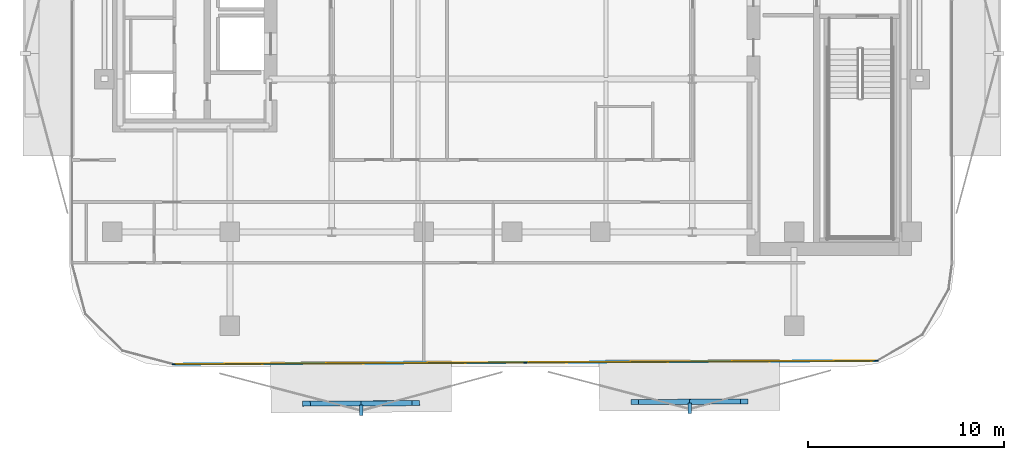
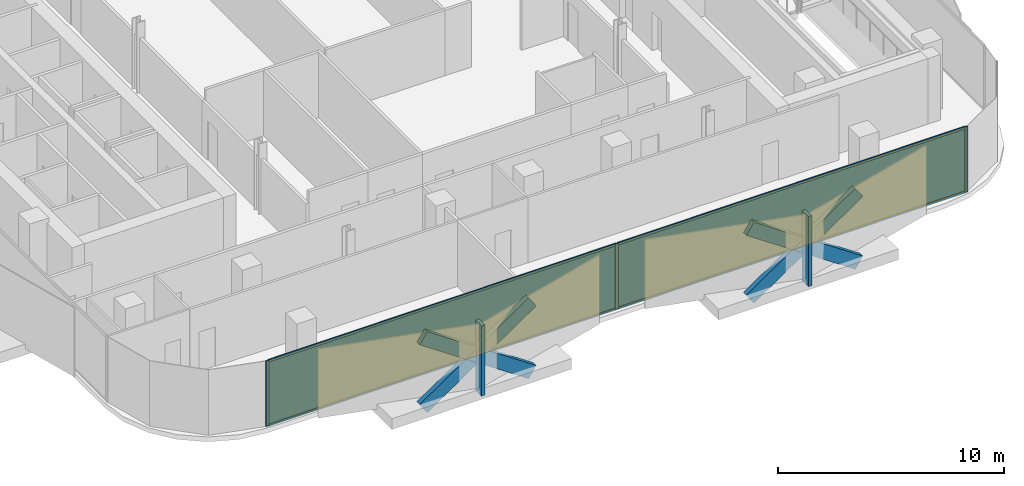
# One storey, part 8 of 16: 13 members, 2 plates, 1 curtain wall.
"""IFC4 building model written with IfcOpenShell, lengths in metres."""

from ifc_helpers import new_model, si_unit, direction, frame, frame_2d, origin, origin_2d, place, context, subcontext, project, spatial, rectangle, extrude, material, layer, layer_set, material_profile, profile_set, type_object, element, aggregate, save


model = new_model("IFC4")

# Units and contexts
model_context = context("Model", 3, precision=1e-05, world=origin(), true_north=direction((0.0, 1.0)))
body_context = subcontext(model_context, "Body", "Model", "MODEL_VIEW")
ifc_project = project(units=[si_unit("LENGTHUNIT", "METRE"), si_unit("AREAUNIT", "SQUARE_METRE"), si_unit("VOLUMEUNIT", "CUBIC_METRE"), si_unit("PLANEANGLEUNIT", "RADIAN"), si_unit("MASSUNIT", "GRAM", prefix="KILO")], contexts=[model_context])

# Member
ifc_material_1 = material(Name="Anodised Bronze Aluminium 6063-T6", Category="aluminium")
ifc_material_profile_1 = material_profile(ifc_material_1, rectangle(XDim=0.260009765625, YDim=0.699951171875, at=origin_2d()))
ifc_profile_set_1 = profile_set([ifc_material_profile_1], Name="Anodised Bronze Aluminium 6063-T6")
member_type_1 = type_object("IfcMemberType", Name="Bronze Diamond Solar-Screen Lattice Rib BDL-700", PredefinedType="MULLION", material=ifc_profile_set_1)
site_placement = place(None, origin())
building_placement = place(site_placement, origin())
storey_placement = place(building_placement, frame((0.0, 0.0, 187.800048828125)))
member_1_placement = place(storey_placement, frame((11.857666015625, -27.25634765625, -0.130126953125), z_axis=(-0.826888697943, -0.004082598107, 0.562350792305), x_axis=(-0.00768530149, 0.999962302626, -0.00404097366)))
member_1 = element("IfcMember", 1, at=member_1_placement, type_object=member_type_1, Name="L43 Bronze Diamond Solar Screen Lattice Rib 281A", PredefinedType="MULLION", context=body_context, shape_type="SweptSolid", body=[
    extrude(rectangle(XDim=0.260009765625, YDim=0.699951171875, at=origin_2d()), origin(), (0.0, 0.0, 1.0), 6.75732421875),
])

member_2_placement = place(storey_placement, frame((6.27001953125, -27.283935546875, -0.130126953125), z_axis=(0.826888697943, 0.004082598107, 0.562350792305), x_axis=(0.00768530149, -0.999962302626, -0.00404097366)))
member_2 = element("IfcMember", 2, at=member_2_placement, type_object=member_type_1, Name="L43 Bronze Diamond Solar Screen Lattice Rib 281B", PredefinedType="MULLION", context=body_context, shape_type="SweptSolid", body=[
    extrude(rectangle(XDim=0.260009765625, YDim=0.699951171875, at=origin_2d()), origin(), (0.0, 0.0, 1.0), 6.75732421875),
])

member_3_placement = place(storey_placement, frame((-4.905517578125, -27.339111328125, -0.130126953125), z_axis=(-0.826888819371, -0.004046469514, 0.562350874885), x_axis=(-0.007641611663, 0.999962637455, -0.004040973385)))
member_3 = element("IfcMember", 3, at=member_3_placement, type_object=member_type_1, Name="L43 Bronze Diamond Solar Screen Lattice Rib 282A", PredefinedType="MULLION", context=body_context, shape_type="SweptSolid", body=[
    extrude(rectangle(XDim=0.260009765625, YDim=0.699951171875, at=origin_2d()), origin(), (0.0, 0.0, 1.0), 6.75732421875),
])

member_4_placement = place(storey_placement, frame((-10.4931640625, -27.366455078125, -0.130126953125), z_axis=(0.826888819371, 0.004046469514, 0.562350874885), x_axis=(0.007641611663, -0.999962637455, -0.004040973385)))
member_4 = element("IfcMember", 4, at=member_4_placement, type_object=member_type_1, Name="L43 Bronze Diamond Solar Screen Lattice Rib 282B", PredefinedType="MULLION", context=body_context, shape_type="SweptSolid", body=[
    extrude(rectangle(XDim=0.260009765625, YDim=0.699951171875, at=origin_2d()), origin(), (0.0, 0.0, 1.0), 6.75732421875),
])

ifc_material_2 = material(Name="Anodised Bronze Aluminium 6063-T6", Category="aluminium")
ifc_material_profile_2 = material_profile(ifc_material_2, rectangle(XDim=0.179931640625, YDim=0.5400390625, at=origin_2d()))
ifc_profile_set_2 = profile_set([ifc_material_profile_2], Name="Anodised Bronze Aluminium 6063-T6")
member_type_2 = type_object("IfcMemberType", Name="Bronze Solar-Screen Vertical Fold Fin BSF-540", PredefinedType="MULLION", material=ifc_profile_set_2)
member_5_placement = place(storey_placement, frame((9.0654296875, -27.610107421875, -0.130126953125), z_axis=(0.0, 0.0, 1.0), x_axis=(-0.999988059021, -0.004886902454, 0.0)))
member_5 = element("IfcMember", 5, at=member_5_placement, type_object=member_type_2, Name="L43 Bronze Solar Screen Vertical Fin 281", PredefinedType="MULLION", context=body_context, shape_type="SweptSolid", body=[
    extrude(rectangle(XDim=0.179931640625, YDim=0.5400390625, at=origin_2d()), origin(), (0.0, 0.0, 1.0), 3.800048828125),
])

member_6_placement = place(storey_placement, frame((-7.697509765625, -27.69287109375, -0.130126953125), z_axis=(0.0, 0.0, 1.0), x_axis=(-0.999988059021, -0.004886902454, 0.0)))
member_6 = element("IfcMember", 6, at=member_6_placement, type_object=member_type_2, Name="L43 Bronze Solar Screen Vertical Fin 282", PredefinedType="MULLION", context=body_context, shape_type="SweptSolid", body=[
    extrude(rectangle(XDim=0.179931640625, YDim=0.5400390625, at=origin_2d()), origin(), (0.0, 0.0, 1.0), 3.800048828125),
])

ifc_material_3 = material(Name="Anodised Bronze Aluminium 6063-T6", Category="aluminium")
ifc_material_profile_3 = material_profile(ifc_material_3, rectangle(XDim=0.06005859375, YDim=0.1650390625, at=origin_2d()))
ifc_profile_set_3 = profile_set([ifc_material_profile_3], Name="Anodised Bronze Aluminium 6063-T6")
member_type_3 = type_object("IfcMemberType", Name="CW-Z3 Mullion 60x165", PredefinedType="MULLION", material=ifc_profile_set_3)
member_7_placement = place(storey_placement, frame((18.605224609375, -25.18310546875, 0.0), z_axis=(0.0, 0.0, 1.0), x_axis=(0.004926734175, -0.999987863572, 0.0)))
member_7 = element("IfcMember", 7, at=member_7_placement, type_object=member_type_3, Name="CW-Z3 mullion 1", PredefinedType="MULLION", context=body_context, shape_type="SweptSolid", body=[
    extrude(rectangle(XDim=0.06005859375, YDim=0.1650390625, at=origin_2d()), origin(), (0.0, 0.0, 1.0), 3.5400390625),
])

member_8_placement = place(storey_placement, frame((0.672119140625, -25.271484375, 0.0), z_axis=(0.0, 0.0, 1.0), x_axis=(0.004926734175, -0.999987863572, 0.0)))
member_8 = element("IfcMember", 8, at=member_8_placement, type_object=member_type_3, Name="CW-Z3 mullion 2", PredefinedType="MULLION", context=body_context, shape_type="SweptSolid", body=[
    extrude(rectangle(XDim=0.06005859375, YDim=0.1650390625, at=origin_2d()), origin(), (0.0, 0.0, 1.0), 3.5400390625),
])

member_9_placement = place(storey_placement, frame((-17.2607421875, -25.35986328125, 0.0), z_axis=(0.0, 0.0, 1.0), x_axis=(0.004926734175, -0.999987863572, 0.0)))
member_9 = element("IfcMember", 9, at=member_9_placement, type_object=member_type_3, Name="CW-Z3 mullion 3", PredefinedType="MULLION", context=body_context, shape_type="SweptSolid", body=[
    extrude(rectangle(XDim=0.06005859375, YDim=0.1650390625, at=origin_2d()), origin(), (0.0, 0.0, 1.0), 3.5400390625),
])

ifc_material_4 = material(Name="Anodised Bronze Aluminium 6063-T6", Category="aluminium")
ifc_material_profile_4 = material_profile(ifc_material_4, rectangle(XDim=0.06005859375, YDim=0.1298828125, at=origin_2d()))
ifc_profile_set_4 = profile_set([ifc_material_profile_4], Name="Anodised Bronze Aluminium 6063-T6")
member_type_4 = type_object("IfcMemberType", Name="CW-Z3 Transom 60x130", PredefinedType="USERDEFINED", material=ifc_profile_set_4)
member_10_placement = place(storey_placement, frame((18.5751953125, -25.183349609375, 0.030029296875), z_axis=(-0.999987909339, -0.0049174359, 0.0), x_axis=(0.0049174359, -0.999987909339, 0.0)))
member_10 = element("IfcMember", 10, at=member_10_placement, type_object=member_type_4, Name="CW-Z3 transom 1.1", ObjectType="TRANSOM", PredefinedType="USERDEFINED", context=body_context, shape_type="SweptSolid", body=[
    extrude(rectangle(XDim=0.06005859375, YDim=0.1298828125, at=origin_2d()), origin(), (0.0, 0.0, 1.0), 17.873291015625),
])

member_11_placement = place(storey_placement, frame((18.5751953125, -25.183349609375, 3.510009765625), z_axis=(-0.999987909339, -0.0049174359, 0.0), x_axis=(0.0049174359, -0.999987909339, 0.0)))
member_11 = element("IfcMember", 11, at=member_11_placement, type_object=member_type_4, Name="CW-Z3 transom 1.2", ObjectType="TRANSOM", PredefinedType="USERDEFINED", context=body_context, shape_type="SweptSolid", body=[
    extrude(rectangle(XDim=0.06005859375, YDim=0.1298828125, at=origin_2d()), origin(), (0.0, 0.0, 1.0), 17.873291015625),
])

member_12_placement = place(storey_placement, frame((0.64208984375, -25.271728515625, 0.030029296875), z_axis=(-0.999987909009, -0.00491750307, 0.0), x_axis=(0.00491750307, -0.999987909009, 0.0)))
member_12 = element("IfcMember", 12, at=member_12_placement, type_object=member_type_4, Name="CW-Z3 transom 2.1", ObjectType="TRANSOM", PredefinedType="USERDEFINED", context=body_context, shape_type="SweptSolid", body=[
    extrude(rectangle(XDim=0.06005859375, YDim=0.1298828125, at=origin_2d()), origin(), (0.0, 0.0, 1.0), 17.873046875),
])

member_13_placement = place(storey_placement, frame((0.64208984375, -25.271728515625, 3.510009765625), z_axis=(-0.999987909009, -0.00491750307, 0.0), x_axis=(0.00491750307, -0.999987909009, 0.0)))
member_13 = element("IfcMember", 13, at=member_13_placement, type_object=member_type_4, Name="CW-Z3 transom 2.2", ObjectType="TRANSOM", PredefinedType="USERDEFINED", context=body_context, shape_type="SweptSolid", body=[
    extrude(rectangle(XDim=0.06005859375, YDim=0.1298828125, at=origin_2d()), origin(), (0.0, 0.0, 1.0), 17.873046875),
])

# Plate
ifc_material_5 = material(Name="Low-E Solar Control Laminated Glass", Category="glass")
ifc_layer_1 = layer(ifc_material_5, 0.030029296875, Name="Low-E Solar Control Laminated Glass")
ifc_layer_set_1 = layer_set([ifc_layer_1], Name="Low-E Solar Control Laminated Glass")
plate_type = type_object("IfcPlateType", Name="CW-Z3 Low-E Double Glazed Panel 30mm", PredefinedType="CURTAIN_PANEL", material=ifc_layer_set_1)
plate_1_placement = place(storey_placement, frame((9.638671875, -25.227294921875, 0.06005859375), z_axis=(0.0, 0.0, 1.0), x_axis=(-0.999987863572, -0.004926734175, 0.0)))
plate_1 = element("IfcPlate", 14, at=plate_1_placement, type_object=plate_type, Name="CW-Z3 panel 1.1", PredefinedType="CURTAIN_PANEL", context=body_context, shape_type="SweptSolid", body=[
    extrude(rectangle(XDim=17.873291015625, YDim=0.030029296875, at=origin_2d()), origin(), (0.0, 0.0, 1.0), 3.419921875),
])

plate_2_placement = place(storey_placement, frame((-8.294189453125, -25.315673828125, 0.06005859375), z_axis=(0.0, 0.0, 1.0), x_axis=(-0.999987863572, -0.004926734175, 0.0)))
plate_2 = element("IfcPlate", 15, at=plate_2_placement, type_object=plate_type, Name="CW-Z3 panel 2.1", PredefinedType="CURTAIN_PANEL", context=body_context, shape_type="SweptSolid", body=[
    extrude(rectangle(XDim=17.873291015625, YDim=0.030029296875, at=origin_2d()), origin(), (0.0, 0.0, 1.0), 3.419921875),
])

# Site, building, storey
site = spatial("IfcSite", under=ifc_project, at=site_placement, CompositionType="ELEMENT")
building = spatial("IfcBuilding", under=site, at=building_placement, Name="Khairoan Windgate Tower", CompositionType="ELEMENT")
storey = spatial("IfcBuildingStorey", under=building, at=storey_placement, Name="L43", CompositionType="ELEMENT", Elevation=187.800048828125)

# Curtain wall
ifc_material_6 = material(Name="Anodised Bronze Aluminium 6063-T6", Category="aluminium")
ifc_layer_2 = layer(ifc_material_6, 0.1650390625, Name="Anodised Bronze Aluminium 6063-T6")
ifc_layer_set_2 = layer_set([ifc_layer_2], Name="Anodised Bronze Aluminium 6063-T6")
curtain_wall_type = type_object("IfcCurtainWallType", Name="Luxury Hotel Acoustic Curtain Wall CW-Z3", PredefinedType="NOTDEFINED", material=ifc_layer_set_2)
curtain_wall_placement = place(storey_placement, frame((18.63525390625, -25.18310546875, 0.0), z_axis=(0.0, 0.0, 1.0), x_axis=(-0.999987863321, -0.004926785053, 0.0)))
curtain_wall = element("IfcCurtainWall", 16, at=curtain_wall_placement, inside=storey, type_object=curtain_wall_type, Name="L43 Unitised Curtain Wall 1", PredefinedType="NOTDEFINED", context=body_context, shape_type="SweptSolid", body=[
    extrude(rectangle(XDim=35.926513671875, YDim=0.010009765625, at=frame_2d((17.96337890625, 0.0))), origin(), (0.0, 0.0, 1.0), 3.5400390625),
])

aggregate(curtain_wall, [member_7, member_8, member_9, member_10, member_11, plate_1, member_12, member_13, plate_2, member_1, member_2, member_5, member_3, member_4, member_6])

save(model, "model.ifc")
